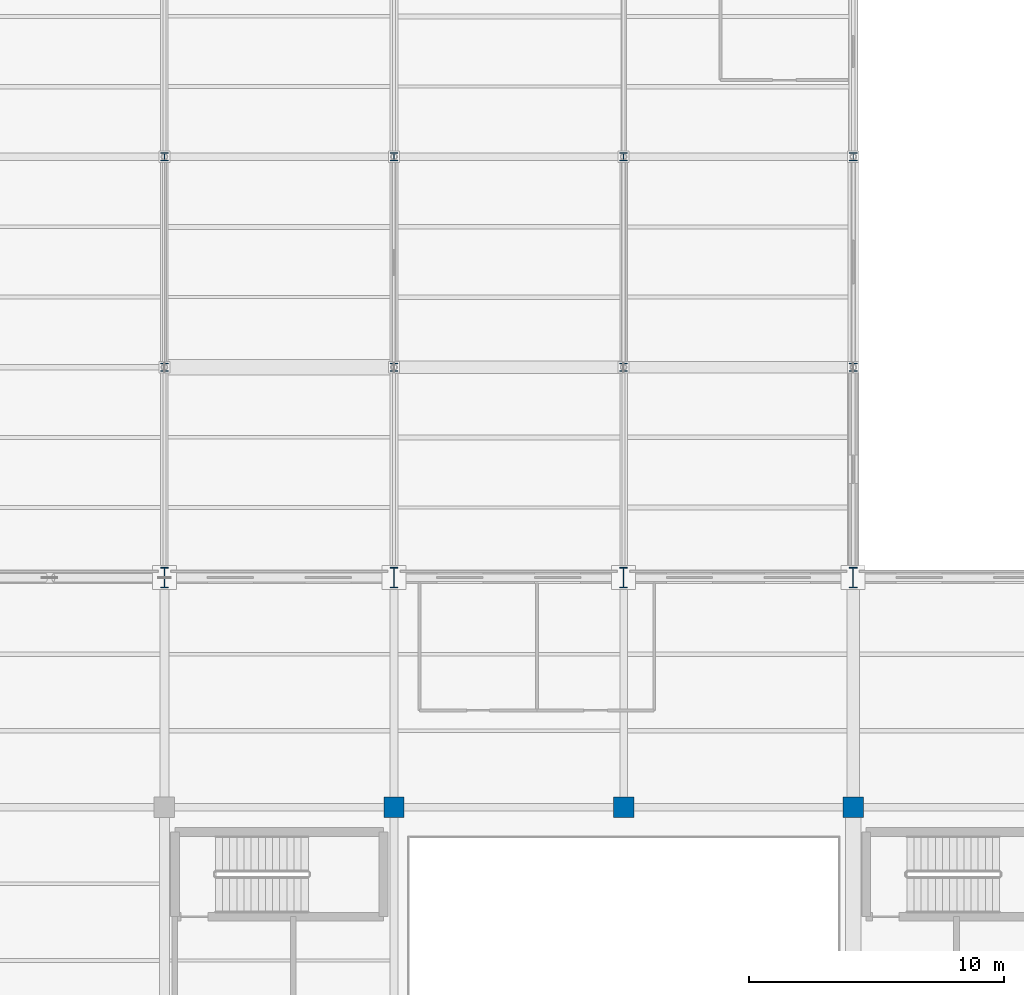
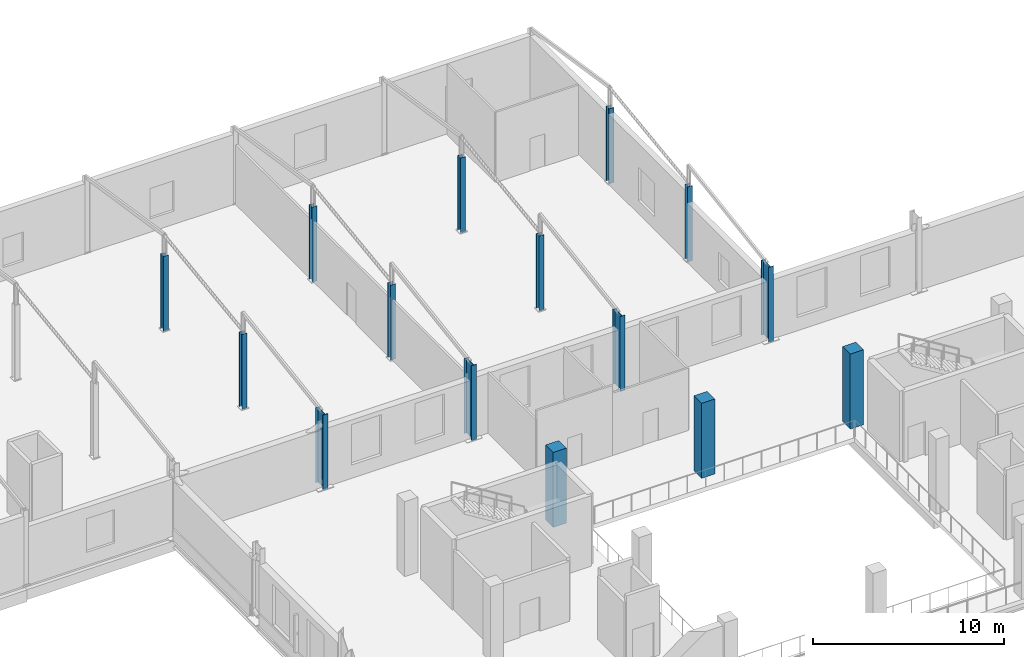
# One storey, part 4 of 54: 15 columns.
"""IFC4 building model written with IfcOpenShell, lengths in metres."""

from ifc_helpers import new_model, si_unit, direction, frame, origin, origin_2d, place, context, subcontext, project, spatial, rectangle, i_section, extrude, material, material_profile, profile_set, type_object, element, save


model = new_model("IFC4")

# Units and contexts
model_context = context("Model", 3, precision=1e-05, world=origin(), true_north=direction((0.0, 1.0)))
body_context = subcontext(model_context, "Body", "Model", "MODEL_VIEW")
ifc_project = project(units=[si_unit("LENGTHUNIT", "METRE"), si_unit("AREAUNIT", "SQUARE_METRE"), si_unit("VOLUMEUNIT", "CUBIC_METRE"), si_unit("PLANEANGLEUNIT", "RADIAN"), si_unit("MASSUNIT", "GRAM", prefix="KILO")], contexts=[model_context])

# Site, building, storey
site_placement = place(None, origin())
site = spatial("IfcSite", under=ifc_project, at=site_placement, CompositionType="ELEMENT")
building_placement = place(site_placement, origin())
building = spatial("IfcBuilding", under=site, at=building_placement, Name="Sundgate Opera House", CompositionType="ELEMENT")
storey_placement = place(building_placement, frame((0.0, 0.0, 16.800048828125)))
storey = spatial("IfcBuildingStorey", under=building, at=storey_placement, Name="L03", CompositionType="ELEMENT", Elevation=16.800048828125)

# Columns
ifc_material_1 = material(Name="Concrete C40/50", Category="concrete")
ifc_material_profile_1 = material_profile(ifc_material_1, rectangle(XDim=0.800048828125, YDim=0.800048828125, at=origin_2d()), Name="RC 800x800")
ifc_profile_set_1 = profile_set([ifc_material_profile_1], Name="Concrete C40/50")
column_type_1 = type_object("IfcColumnType", Name="CL-RC-800", PredefinedType="COLUMN", material=ifc_profile_set_1)
for number, where, z_axis, x_axis, name in (
    (1, (45.0, 78.0, 0.0), (0.0, 0.0, 1.0), (1.0, 0.0, 0.0), "L03 Column C0312"),
    (2, (54.0, 78.0, 0.0), (0.0, 0.0, 1.0), (1.0, 0.0, 0.0), "L03 Column C0367"),
    (3, (63.0, 78.0, 0.0), (0.0, 0.0, 1.0), (1.0, 0.0, 0.0), "L03 Column C0428"),
):
    element("IfcColumn", number, at=place(storey_placement, frame(where, z_axis=z_axis, x_axis=x_axis)), inside=storey, type_object=column_type_1, Name=name, PredefinedType="COLUMN", context=body_context, shape_type="SweptSolid", body=[
        extrude(rectangle(XDim=0.800048828125, YDim=0.800048828125, at=origin_2d()), origin(), (0.0, 0.0, 1.0), 4.800048828125),
    ])
ifc_material_2 = material(Name="Steel S355J2", Category="steel")
ifc_material_profile_2 = material_profile(ifc_material_2, i_section(OverallWidth=0.300048828125, OverallDepth=0.300048828125, WebThickness=0.010986328125, FlangeThickness=0.01904296875, at=origin_2d()), Name="HEB 300")
ifc_profile_set_2 = profile_set([ifc_material_profile_2], Name="Steel S355J2")
column_type_2 = type_object("IfcColumnType", Name="CL-STL-300", PredefinedType="COLUMN", material=ifc_profile_set_2)
for number, where, z_axis, x_axis, name in (
    (4, (36.0, 95.25, 0.0), (0.0, 0.0, 1.0), (1.0, 0.0, 0.0), "L03 Column C0266"),
    (5, (36.0, 103.5, 0.0), (0.0, 0.0, 1.0), (1.0, 0.0, 0.0), "L03 Column C0271"),
    (6, (45.0, 95.25, 0.0), (0.0, 0.0, 1.0), (1.0, 0.0, 0.0), "L03 Column C0326"),
    (7, (45.0, 103.5, 0.0), (0.0, 0.0, 1.0), (1.0, 0.0, 0.0), "L03 Column C0331"),
    (8, (54.0, 95.25, 0.0), (0.0, 0.0, 1.0), (1.0, 0.0, 0.0), "L03 Column C0381"),
    (9, (54.0, 103.5, 0.0), (0.0, 0.0, 1.0), (1.0, 0.0, 0.0), "L03 Column C0386"),
    (10, (63.0, 95.25, 0.0), (0.0, 0.0, 1.0), (1.0, 0.0, 0.0), "L03 Column C0442"),
    (11, (63.0, 103.5, 0.0), (0.0, 0.0, 1.0), (1.0, 0.0, 0.0), "L03 Column C0447"),
):
    element("IfcColumn", number, at=place(storey_placement, frame(where, z_axis=z_axis, x_axis=x_axis)), inside=storey, type_object=column_type_2, Name=name, PredefinedType="COLUMN", context=body_context, shape_type="SweptSolid", body=[
        extrude(i_section(OverallWidth=0.300048828125, OverallDepth=0.300048828125, WebThickness=0.010986328125, FlangeThickness=0.01904296875, at=origin_2d()), origin(), (0.0, 0.0, 1.0), 4.800048828125),
    ])
ifc_material_3 = material(Name="Steel S355J2", Category="steel")
ifc_material_profile_3 = material_profile(ifc_material_3, i_section(OverallWidth=0.300048828125, OverallDepth=0.800048828125, WebThickness=0.017578125, FlangeThickness=0.032958984375, at=origin_2d()), Name="HEB 800")
ifc_profile_set_3 = profile_set([ifc_material_profile_3], Name="Steel S355J2")
column_type_3 = type_object("IfcColumnType", Name="CL-STL-800", PredefinedType="COLUMN", material=ifc_profile_set_3)
for number, where, z_axis, x_axis, name in (
    (12, (36.0, 87.0, 0.0), (0.0, 0.0, 1.0), (1.0, 0.0, 0.0), "L03 Column C0258"),
    (13, (45.0, 87.0, 0.0), (0.0, 0.0, 1.0), (1.0, 0.0, 0.0), "L03 Column C0318"),
    (14, (54.0, 87.0, 0.0), (0.0, 0.0, 1.0), (1.0, 0.0, 0.0), "L03 Column C0373"),
    (15, (63.0, 87.0, 0.0), (0.0, 0.0, 1.0), (1.0, 0.0, 0.0), "L03 Column C0434"),
):
    element("IfcColumn", number, at=place(storey_placement, frame(where, z_axis=z_axis, x_axis=x_axis)), inside=storey, type_object=column_type_3, Name=name, PredefinedType="COLUMN", context=body_context, shape_type="SweptSolid", body=[
        extrude(i_section(OverallWidth=0.300048828125, OverallDepth=0.800048828125, WebThickness=0.017578125, FlangeThickness=0.032958984375, at=origin_2d()), origin(), (0.0, 0.0, 1.0), 4.800048828125),
    ])

save(model, "model.ifc")
